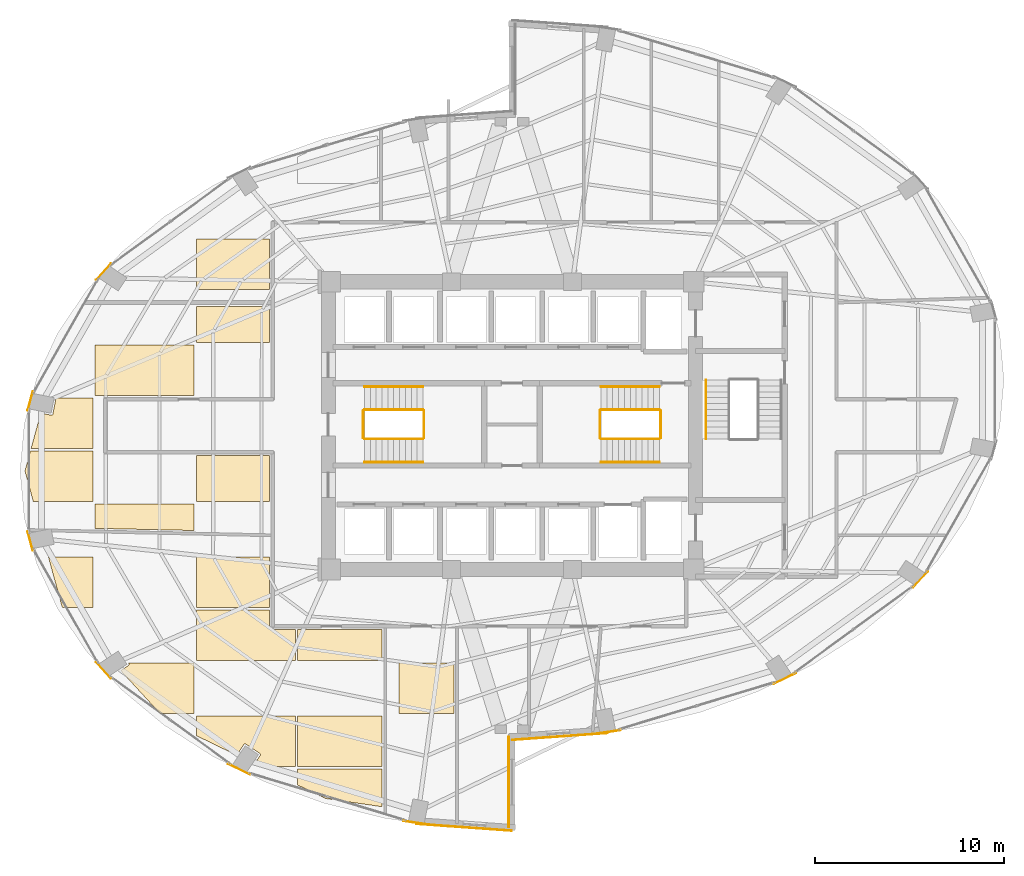
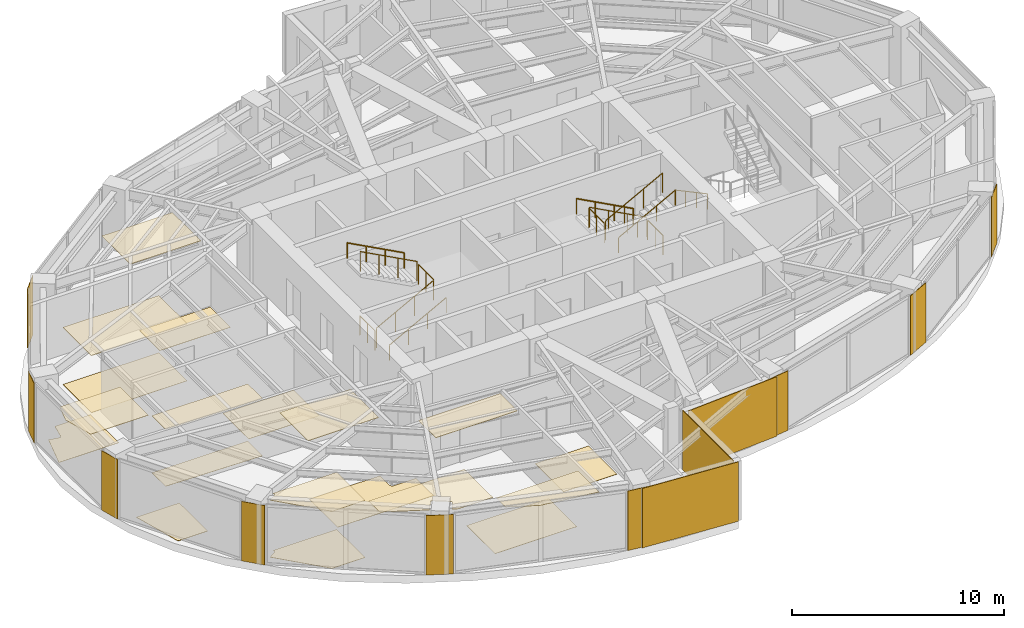
# One storey, part 22 of 23: 31 coverings, 13 railings.
"""IFC4 building model written with IfcOpenShell, lengths in metres."""

from ifc_helpers import new_model, si_unit, direction, frame, origin, origin_2d, place, context, subcontext, project, spatial, polyline, rectangle, circle, outline, extrude, material, layer, layer_set, type_object, element, save


model = new_model("IFC4")

# Units and contexts
model_context = context("Model", 3, precision=1e-05, world=origin(), true_north=direction((0.0, 1.0)))
body_context = subcontext(model_context, "Body", "Model", "MODEL_VIEW")
ifc_project = project(units=[si_unit("LENGTHUNIT", "METRE"), si_unit("AREAUNIT", "SQUARE_METRE"), si_unit("VOLUMEUNIT", "CUBIC_METRE"), si_unit("PLANEANGLEUNIT", "RADIAN"), si_unit("MASSUNIT", "GRAM", prefix="KILO")], contexts=[model_context])

# Site, building, storey
site_placement = place(None, origin())
site = spatial("IfcSite", under=ifc_project, at=site_placement, CompositionType="ELEMENT")
building_placement = place(site_placement, origin())
building = spatial("IfcBuilding", under=site, at=building_placement, Name="Lazwardi Medical Tower", CompositionType="ELEMENT")
storey_placement = place(building_placement, frame((0.0, 0.0, 81.743896484375)))
storey = spatial("IfcBuildingStorey", under=building, at=storey_placement, Name="L20", CompositionType="ELEMENT", Elevation=81.743896484375)

# Coverings
ifc_material_1 = material(Name="Anodised bronze aluminium cassette cladding", Category="aluminium")
ifc_layer_1 = layer(ifc_material_1, 0.030029296875)
ifc_layer_set_1 = layer_set([ifc_layer_1], Name="Anodised bronze aluminium cassette cladding")
covering_type_1 = type_object("IfcCoveringType", Name="COV-CLD-BRZ", PredefinedType="CLADDING", material=ifc_layer_set_1)
covering_1_placement = place(storey_placement, frame((41.064208984375, 11.80322265625, 0.0), z_axis=(0.0, 0.0, 1.0), x_axis=(0.989609019093, 0.143784523955, 0.0)))
element("IfcCovering", 1, at=covering_1_placement, inside=storey, type_object=covering_type_1, Name="L20 Mega-column bronze cassette cover M01", PredefinedType="CLADDING", context=body_context, shape_type="SweptSolid", body=[
    extrude(rectangle(XDim=1.392333984375, YDim=0.030029296875, at=origin_2d()), origin(), (0.0, 0.0, 1.0), 3.427978515625),
])
covering_2_placement = place(storey_placement, frame((50.421875, 14.634521484375, 0.0), z_axis=(0.0, 0.0, 1.0), x_axis=(0.898679250201, 0.438606435495, 0.0)))
element("IfcCovering", 2, at=covering_2_placement, inside=storey, type_object=covering_type_1, Name="L20 Mega-column bronze cassette cover M02", PredefinedType="CLADDING", context=body_context, shape_type="SweptSolid", body=[
    extrude(rectangle(XDim=1.2998046875, YDim=0.030029296875, at=origin_2d()), origin(), (0.0, 0.0, 1.0), 3.427978515625),
])
for number, where, z_axis, x_axis, name in (
    (3, (57.583740234375, 19.86572265625, 0.0), (0.0, 0.0, 1.0), (0.674925949214, 0.737885467453, 0.0), "L20 Mega-column bronze cassette cover M03"),
    (4, (14.416259765625, 36.13427734375, 0.0), (0.0, 0.0, 1.0), (-0.674925949214, -0.737885467453, 0.0), "L20 Mega-column bronze cassette cover M11"),
):
    element("IfcCovering", number, at=place(storey_placement, frame(where, z_axis=z_axis, x_axis=x_axis)), inside=storey, type_object=covering_type_1, Name=name, PredefinedType="CLADDING", context=body_context, shape_type="SweptSolid", body=[
        extrude(rectangle(XDim=1.15625, YDim=0.030029296875, at=origin_2d()), origin(), (0.0, 0.0, 1.0), 3.427978515625),
    ])
for number, where, z_axis, x_axis, name in (
    (5, (10.540283203125, 29.299072265625, 0.0), (0.0, 0.0, 1.0), (-0.262696108164, -0.964878621774, 0.0), "L20 Mega-column bronze cassette cover M12"),
    (6, (10.540283203125, 21.90087890625, 0.0), (0.0, 0.0, 1.0), (0.262696108164, -0.964878621774, 0.0), "L20 Mega-column bronze cassette cover M13"),
):
    element("IfcCovering", number, at=place(storey_placement, frame(where, z_axis=z_axis, x_axis=x_axis)), inside=storey, type_object=covering_type_1, Name=name, PredefinedType="CLADDING", context=body_context, shape_type="SweptSolid", body=[
        extrude(rectangle(XDim=1.04296875, YDim=0.030029296875, at=origin_2d()), origin(), (0.0, 0.0, 1.0), 3.427978515625),
    ])
covering_3_placement = place(storey_placement, frame((14.416259765625, 15.06591796875, 0.0), z_axis=(0.0, 0.0, 1.0), x_axis=(0.674925949214, -0.737885467453, 0.0)))
element("IfcCovering", 7, at=covering_3_placement, inside=storey, type_object=covering_type_1, Name="L20 Mega-column bronze cassette cover M14", PredefinedType="CLADDING", context=body_context, shape_type="SweptSolid", body=[
    extrude(rectangle(XDim=1.15625, YDim=0.030029296875, at=origin_2d()), origin(), (0.0, 0.0, 1.0), 3.427978515625),
])
covering_4_placement = place(storey_placement, frame((21.578125, 9.83447265625, 0.0), z_axis=(0.0, 0.0, 1.0), x_axis=(0.898679250201, -0.438606435495, 0.0)))
element("IfcCovering", 8, at=covering_4_placement, inside=storey, type_object=covering_type_1, Name="L20 Mega-column bronze cassette cover M15", PredefinedType="CLADDING", context=body_context, shape_type="SweptSolid", body=[
    extrude(rectangle(XDim=1.2998046875, YDim=0.030029296875, at=origin_2d()), origin(), (0.0, 0.0, 1.0), 3.427978515625),
])
covering_5_placement = place(storey_placement, frame((30.935791015625, 7.00341796875, 0.0), z_axis=(0.0, 0.0, 1.0), x_axis=(0.989609019093, -0.143784523955, 0.0)))
element("IfcCovering", 9, at=covering_5_placement, inside=storey, type_object=covering_type_1, Name="L20 Mega-column bronze cassette cover M16", PredefinedType="CLADDING", context=body_context, shape_type="SweptSolid", body=[
    extrude(rectangle(XDim=1.392333984375, YDim=0.030029296875, at=origin_2d()), origin(), (0.0, 0.0, 1.0), 3.427978515625),
])
ifc_material_2 = material(Name="Turquoise glazed ceramic tilework cladding", Category="masonry")
ifc_layer_2 = layer(ifc_material_2, 0.034912109375)
ifc_layer_set_2 = layer_set([ifc_layer_2], Name="Turquoise glazed ceramic tilework cladding")
covering_type_2 = type_object("IfcCoveringType", Name="COV-CLD-TRQ", PredefinedType="CLADDING", material=ifc_layer_set_2)
covering_6_placement = place(storey_placement, frame((38.533203125, 11.56591796875, 0.0), z_axis=(0.0, 0.0, 1.0), x_axis=(0.997431665415, 0.07162452672, 0.0)))
element("IfcCovering", 10, at=covering_6_placement, inside=storey, type_object=covering_type_2, Name="L20 Turquoise glazed ceramic tilework cladding", PredefinedType="CLADDING", context=body_context, shape_type="SweptSolid", body=[
    extrude(rectangle(XDim=5.05419921875, YDim=0.034912109375, at=origin_2d()), origin(), (0.0, 0.0, 1.0), 3.427978515625),
])
covering_7_placement = place(storey_placement, frame((33.466552734375, 6.76611328125, 0.0), z_axis=(0.0, 0.0, 1.0), x_axis=(0.997431165357, -0.071631490105, 0.0)))
element("IfcCovering", 11, at=covering_7_placement, inside=storey, type_object=covering_type_2, Name="L20 Turquoise glazed ceramic tilework cladding", PredefinedType="CLADDING", context=body_context, shape_type="SweptSolid", body=[
    extrude(rectangle(XDim=5.0537109375, YDim=0.034912109375, at=origin_2d()), origin(), (0.0, 0.0, 1.0), 3.427978515625),
])
covering_8_placement = place(storey_placement, frame((35.824462890625, 9.159912109375, 0.0), z_axis=(0.0, 0.0, 1.0), x_axis=(0.0, 1.0, 0.0)))
element("IfcCovering", 12, at=covering_8_placement, inside=storey, type_object=covering_type_2, Name="L20 Turquoise glazed ceramic tilework iwan panel", PredefinedType="CLADDING", context=body_context, shape_type="SweptSolid", body=[
    extrude(rectangle(XDim=4.800048828125, YDim=0.034912109375, at=origin_2d()), origin(), (0.0, 0.0, 1.0), 3.427978515625),
])
ifc_material_3 = material(Name="Acoustic mineral fibre tile")
ifc_layer_3 = layer(ifc_material_3, 0.02490234375)
ifc_layer_set_3 = layer_set([ifc_layer_3], Name="Acoustic mineral fibre tile")
covering_type_3 = type_object("IfcCoveringType", Name="COV-CLG-01", PredefinedType="CEILING", material=ifc_layer_set_3)
covering_9_placement = place(storey_placement, frame((0.0, 0.0, 3.283203125)))
element("IfcCovering", 13, at=covering_9_placement, inside=storey, type_object=covering_type_3, Name="L20 Clinical Acoustic Ceiling 1", PredefinedType="CEILING", context=body_context, shape_type="SweptSolid", body=[
    extrude(outline(polyline([(10.552978515625, 26.662353515625), (10.262939453125, 25.60009765625), (10.704345703125, 23.982421875), (13.852783203125, 23.982421875), (13.852783203125, 26.662353515625), (10.552978515625, 26.662353515625)])), origin(), (0.0, 0.0, 1.0), 0.02490234375),
])
covering_10_placement = place(storey_placement, frame((0.0, 0.0, 3.283203125)))
element("IfcCovering", 14, at=covering_10_placement, inside=storey, type_object=covering_type_3, Name="L20 Clinical Acoustic Ceiling 2", PredefinedType="CEILING", context=body_context, shape_type="SweptSolid", body=[
    extrude(outline(polyline([(15.725830078125, 15.46240234375), (15.748779296875, 15.42822265625), (15.752685546875, 15.421630859375), (15.756103515625, 15.41455078125), (15.7587890625, 15.406982421875), (15.7607421875, 15.3994140625), (15.76171875, 15.3916015625), (15.76220703125, 15.3837890625), (15.76171875, 15.376220703125), (15.7607421875, 15.368408203125), (15.7587890625, 15.360595703125), (15.756103515625, 15.353271484375), (15.752685546875, 15.34619140625), (15.748779296875, 15.339599609375), (15.743896484375, 15.3330078125), (15.73876953125, 15.327392578125), (15.73291015625, 15.322021484375), (15.7265625, 15.3173828125), (15.32421875, 15.048583984375), (17.401611328125, 12.782470703125), (19.202880859375, 12.782470703125), (19.202880859375, 15.46240234375), (15.725830078125, 15.46240234375)])), origin(), (0.0, 0.0, 1.0), 0.02490234375),
])
covering_11_placement = place(storey_placement, frame((0.0, 0.0, 3.283203125)))
element("IfcCovering", 15, at=covering_11_placement, inside=storey, type_object=covering_type_3, Name="L20 Clinical Acoustic Ceiling 3", PredefinedType="CEILING", context=body_context, shape_type="SweptSolid", body=[
    extrude(outline(polyline([(13.972900390625, 22.56787109375), (19.202880859375, 22.45458984375), (19.202880859375, 23.8623046875), (13.972900390625, 23.8623046875), (13.972900390625, 22.56787109375)])), origin(), (0.0, 0.0, 1.0), 0.02490234375),
])
covering_12_placement = place(storey_placement, frame((0.0, 0.0, 3.283203125)))
element("IfcCovering", 16, at=covering_12_placement, inside=storey, type_object=covering_type_3, Name="L20 Clinical Acoustic Ceiling 4", PredefinedType="CEILING", context=body_context, shape_type="SweptSolid", body=[
    extrude(outline(polyline([(19.202880859375, 29.58251953125), (19.202880859375, 32.262451171875), (13.972900390625, 32.262451171875), (13.972900390625, 29.58251953125), (19.202880859375, 29.58251953125)])), origin(), (0.0, 0.0, 1.0), 0.02490234375),
])
covering_13_placement = place(storey_placement, frame((0.0, 0.0, 3.283203125)))
element("IfcCovering", 17, at=covering_13_placement, inside=storey, type_object=covering_type_3, Name="L20 Clinical Acoustic Ceiling 5", PredefinedType="CEILING", context=body_context, shape_type="SweptSolid", body=[
    extrude(outline(polyline([(19.322998046875, 11.611572265625), (21.447509765625, 10.576904296875), (21.828369140625, 11.14697265625), (21.8330078125, 11.1533203125), (21.83837890625, 11.1591796875), (21.843994140625, 11.164306640625), (21.8505859375, 11.1689453125), (21.857177734375, 11.173095703125), (21.8642578125, 11.176513671875), (21.87158203125, 11.17919921875), (21.87939453125, 11.180908203125), (21.88720703125, 11.18212890625), (21.89501953125, 11.1826171875), (21.902587890625, 11.18212890625), (21.910400390625, 11.180908203125), (21.918212890625, 11.17919921875), (21.925537109375, 11.176513671875), (21.9326171875, 11.173095703125), (21.939208984375, 11.1689453125), (22.6708984375, 10.68017578125), (22.677490234375, 10.67529296875), (22.68310546875, 10.670166015625), (22.6884765625, 10.664306640625), (22.693115234375, 10.657958984375), (22.697265625, 10.6513671875), (22.700439453125, 10.644287109375), (22.703125, 10.63671875), (22.705078125, 10.629150390625), (22.706298828125, 10.621337890625), (22.70654296875, 10.613525390625), (22.706298828125, 10.605712890625), (22.705078125, 10.597900390625), (22.703125, 10.59033203125), (22.700439453125, 10.5830078125), (22.697265625, 10.575927734375), (22.693115234375, 10.569091796875), (22.39111328125, 10.1171875), (22.667724609375, 9.982421875), (24.552978515625, 9.982421875), (24.552978515625, 12.662353515625), (19.322998046875, 12.662353515625), (19.322998046875, 11.611572265625)])), origin(), (0.0, 0.0, 1.0), 0.02490234375),
])
covering_14_placement = place(storey_placement, frame((0.0, 0.0, 3.283203125)))
element("IfcCovering", 18, at=covering_14_placement, inside=storey, type_object=covering_type_3, Name="L20 Clinical Acoustic Ceiling 6", PredefinedType="CEILING", context=body_context, shape_type="SweptSolid", body=[
    extrude(outline(polyline([(23.175048828125, 18.38232421875), (23.175048828125, 21.0625), (19.322998046875, 21.0625), (19.322998046875, 18.38232421875), (23.175048828125, 18.38232421875)])), origin(), (0.0, 0.0, 1.0), 0.02490234375),
])
covering_15_placement = place(storey_placement, frame((0.0, 0.0, 3.283203125)))
element("IfcCovering", 19, at=covering_15_placement, inside=storey, type_object=covering_type_3, Name="L20 Clinical Acoustic Ceiling 7", PredefinedType="CEILING", context=body_context, shape_type="SweptSolid", body=[
    extrude(outline(polyline([(23.175048828125, 35.182373046875), (23.175048828125, 37.8623046875), (19.322998046875, 37.8623046875), (19.322998046875, 35.182373046875), (23.175048828125, 35.182373046875)])), origin(), (0.0, 0.0, 1.0), 0.02490234375),
])
covering_16_placement = place(storey_placement, frame((0.0, 0.0, 3.283203125)))
element("IfcCovering", 20, at=covering_16_placement, inside=storey, type_object=covering_type_3, Name="L20 Clinical Acoustic Ceiling 8", PredefinedType="CEILING", context=body_context, shape_type="SweptSolid", body=[
    extrude(outline(polyline([(24.6728515625, 9.005859375), (26.142822265625, 8.2900390625), (29.135009765625, 7.856201171875), (29.135009765625, 9.8623046875), (24.6728515625, 9.8623046875), (24.6728515625, 9.005859375)])), origin(), (0.0, 0.0, 1.0), 0.02490234375),
])
covering_17_placement = place(storey_placement, frame((0.0, 0.0, 3.283203125)))
element("IfcCovering", 21, at=covering_17_placement, inside=storey, type_object=covering_type_3, Name="L20 Clinical Acoustic Ceiling 9", PredefinedType="CEILING", context=body_context, shape_type="SweptSolid", body=[
    extrude(outline(polyline([(29.135009765625, 15.58251953125), (29.135009765625, 17.22509765625), (24.6728515625, 17.22509765625), (24.6728515625, 15.58251953125), (29.135009765625, 15.58251953125)])), origin(), (0.0, 0.0, 1.0), 0.02490234375),
])
ifc_material_4 = material(Name="Anti-static hospital vinyl sheet flooring")
ifc_layer_4 = layer(ifc_material_4, 0.014892578125)
ifc_layer_set_4 = layer_set([ifc_layer_4], Name="Anti-static hospital vinyl sheet flooring")
covering_type_4 = type_object("IfcCoveringType", Name="COV-FLR-01", PredefinedType="FLOORING", material=ifc_layer_set_4)
covering_18_placement = place(storey_placement, origin())
element("IfcCovering", 22, at=covering_18_placement, inside=storey, type_object=covering_type_4, Name="L20 Clinical Vinyl Flooring 1", PredefinedType="FLOORING", context=body_context, shape_type="SweptSolid", body=[
    extrude(outline(polyline([(11.501220703125, 21.0625), (12.217529296875, 18.437744140625), (12.26806640625, 18.38232421875), (13.852783203125, 18.38232421875), (13.852783203125, 21.0625), (11.501220703125, 21.0625)])), origin(), (0.0, 0.0, 1.0), 0.01513671875),
])
covering_19_placement = place(storey_placement, origin())
element("IfcCovering", 23, at=covering_19_placement, inside=storey, type_object=covering_type_4, Name="L20 Clinical Vinyl Flooring 2", PredefinedType="FLOORING", context=body_context, shape_type="SweptSolid", body=[
    extrude(outline(polyline([(11.906982421875, 29.46240234375), (11.73779296875, 28.61181640625), (11.73583984375, 28.604248046875), (11.733154296875, 28.5966796875), (11.72998046875, 28.589599609375), (11.725830078125, 28.5830078125), (11.72119140625, 28.57666015625), (11.7158203125, 28.57080078125), (11.710205078125, 28.565673828125), (11.70361328125, 28.560791015625), (11.697021484375, 28.556884765625), (11.68994140625, 28.553466796875), (11.6826171875, 28.55078125), (11.6748046875, 28.548828125), (11.6669921875, 28.5478515625), (11.6591796875, 28.54736328125), (11.651611328125, 28.5478515625), (11.643798828125, 28.548828125), (11.097412109375, 28.65771484375), (10.585693359375, 26.782470703125), (13.852783203125, 26.782470703125), (13.852783203125, 29.46240234375), (11.906982421875, 29.46240234375)])), origin(), (0.0, 0.0, 1.0), 0.01513671875),
])
covering_20_placement = place(storey_placement, origin())
element("IfcCovering", 24, at=covering_20_placement, inside=storey, type_object=covering_type_4, Name="L20 Clinical Vinyl Flooring 3", PredefinedType="FLOORING", context=body_context, shape_type="SweptSolid", body=[
    extrude(outline(polyline([(15.725830078125, 15.46240234375), (15.748779296875, 15.42822265625), (15.752685546875, 15.421630859375), (15.756103515625, 15.41455078125), (15.7587890625, 15.406982421875), (15.7607421875, 15.3994140625), (15.76171875, 15.3916015625), (15.76220703125, 15.3837890625), (15.76171875, 15.376220703125), (15.7607421875, 15.368408203125), (15.7587890625, 15.360595703125), (15.756103515625, 15.353271484375), (15.752685546875, 15.34619140625), (15.748779296875, 15.339599609375), (15.743896484375, 15.3330078125), (15.73876953125, 15.327392578125), (15.73291015625, 15.322021484375), (15.7265625, 15.3173828125), (15.32421875, 15.048583984375), (17.401611328125, 12.782470703125), (19.202880859375, 12.782470703125), (19.202880859375, 15.46240234375), (15.725830078125, 15.46240234375)])), origin(), (0.0, 0.0, 1.0), 0.01513671875),
])
covering_21_placement = place(storey_placement, origin())
element("IfcCovering", 25, at=covering_21_placement, inside=storey, type_object=covering_type_4, Name="L20 Clinical Vinyl Flooring 4", PredefinedType="FLOORING", context=body_context, shape_type="SweptSolid", body=[
    extrude(outline(polyline([(13.972900390625, 22.56787109375), (19.202880859375, 22.45458984375), (19.202880859375, 23.8623046875), (13.972900390625, 23.8623046875), (13.972900390625, 22.56787109375)])), origin(), (0.0, 0.0, 1.0), 0.01513671875),
])
covering_22_placement = place(storey_placement, origin())
element("IfcCovering", 26, at=covering_22_placement, inside=storey, type_object=covering_type_4, Name="L20 Clinical Vinyl Flooring 5", PredefinedType="FLOORING", context=body_context, shape_type="SweptSolid", body=[
    extrude(outline(polyline([(19.202880859375, 29.58251953125), (19.202880859375, 32.262451171875), (13.972900390625, 32.262451171875), (13.972900390625, 29.58251953125), (19.202880859375, 29.58251953125)])), origin(), (0.0, 0.0, 1.0), 0.01513671875),
])
covering_23_placement = place(storey_placement, origin())
element("IfcCovering", 27, at=covering_23_placement, inside=storey, type_object=covering_type_4, Name="L20 Clinical Vinyl Flooring 6", PredefinedType="FLOORING", context=body_context, shape_type="SweptSolid", body=[
    extrude(outline(polyline([(24.552978515625, 17.22509765625), (23.35009765625, 17.22509765625), (23.345703125, 17.22509765625), (23.33642578125, 17.2255859375), (23.32958984375, 17.226318359375), (23.3203125, 17.2275390625), (23.31201171875, 17.229248046875), (23.302734375, 17.2314453125), (23.2958984375, 17.233642578125), (23.287109375, 17.23681640625), (23.279296875, 17.239990234375), (23.270751953125, 17.243896484375), (23.263916015625, 17.24755859375), (23.256103515625, 17.25244140625), (23.249267578125, 17.2568359375), (23.24169921875, 17.262451171875), (23.236083984375, 17.26708984375), (23.229248046875, 17.273193359375), (23.223388671875, 17.279296875), (23.217041015625, 17.2861328125), (23.21240234375, 17.291748046875), (23.206787109375, 17.29931640625), (23.202392578125, 17.305908203125), (23.197509765625, 17.31396484375), (23.194091796875, 17.32080078125), (23.18994140625, 17.3291015625), (23.186767578125, 17.3369140625), (23.18359375, 17.345703125), (23.181396484375, 17.352783203125), (23.17919921875, 17.36181640625), (23.177490234375, 17.370361328125), (23.17626953125, 17.37939453125), (23.175537109375, 17.386474609375), (23.175048828125, 17.395751953125), (23.175048828125, 17.39990234375), (23.175048828125, 18.262451171875), (19.322998046875, 18.262451171875), (19.322998046875, 15.58251953125), (24.552978515625, 15.58251953125), (24.552978515625, 17.22509765625)])), origin(), (0.0, 0.0, 1.0), 0.01513671875),
])
covering_24_placement = place(storey_placement, origin())
element("IfcCovering", 28, at=covering_24_placement, inside=storey, type_object=covering_type_4, Name="L20 Clinical Vinyl Flooring 7", PredefinedType="FLOORING", context=body_context, shape_type="SweptSolid", body=[
    extrude(outline(polyline([(23.175048828125, 23.982421875), (23.175048828125, 26.425048828125), (19.322998046875, 26.425048828125), (19.322998046875, 23.982421875), (23.175048828125, 23.982421875)])), origin(), (0.0, 0.0, 1.0), 0.01513671875),
])
covering_25_placement = place(storey_placement, origin())
element("IfcCovering", 29, at=covering_25_placement, inside=storey, type_object=covering_type_4, Name="L20 Clinical Vinyl Flooring 8", PredefinedType="FLOORING", context=body_context, shape_type="SweptSolid", body=[
    extrude(outline(polyline([(23.175048828125, 32.38232421875), (23.175048828125, 34.300048828125), (19.322998046875, 34.300048828125), (19.322998046875, 32.38232421875), (23.175048828125, 32.38232421875)])), origin(), (0.0, 0.0, 1.0), 0.01513671875),
])
covering_26_placement = place(storey_placement, origin())
element("IfcCovering", 30, at=covering_26_placement, inside=storey, type_object=covering_type_4, Name="L20 Clinical Vinyl Flooring 9", PredefinedType="FLOORING", context=body_context, shape_type="SweptSolid", body=[
    extrude(outline(polyline([(29.135009765625, 9.982421875), (29.135009765625, 12.662353515625), (24.6728515625, 12.662353515625), (24.6728515625, 9.982421875), (29.135009765625, 9.982421875)])), origin(), (0.0, 0.0, 1.0), 0.01513671875),
])
covering_27_placement = place(storey_placement, origin())
element("IfcCovering", 31, at=covering_27_placement, inside=storey, type_object=covering_type_4, Name="L20 Clinical Vinyl Flooring 10", PredefinedType="FLOORING", context=body_context, shape_type="SweptSolid", body=[
    extrude(outline(polyline([(32.93505859375, 12.782470703125), (32.93505859375, 15.46240234375), (30.02294921875, 15.46240234375), (30.02294921875, 12.782470703125), (32.93505859375, 12.782470703125)])), origin(), (0.0, 0.0, 1.0), 0.01513671875),
])

# Railings
ifc_material_5 = material(Name="Stainless steel Grade 316", Category="steel")
railing_type_1 = type_object("IfcRailingType", Name="RLG-GRD-1150", PredefinedType="GUARDRAIL", material=ifc_material_5)
railing_1_placement = place(storey_placement, frame((28.199951171875, 27.2900390625, 0.166015625)))
element("IfcRailing", 32, at=railing_1_placement, inside=storey, type_object=railing_type_1, Name="L20 ST1 stair guard 1", PredefinedType="GUARDRAIL", context=body_context, shape_type="SweptSolid", body=[
    extrude(circle(Radius=0.02392578125, at=origin_2d()), frame((0.0, 0.0, 1.1259765625), z_axis=(0.881783298633, 0.0, 0.471654761719), x_axis=(0.0, 1.0, 0.0)), (0.0, 0.0, 1.0), 3.515625),
    extrude(circle(Radius=0.02099609375, at=origin_2d()), origin(), (0.0, 0.0, 1.0), 1.099853515625),
    extrude(circle(Radius=0.02099609375, at=origin_2d()), frame((1.033447265625, 0.0, 0.552734375)), (0.0, 0.0, 1.0), 1.099853515625),
    extrude(circle(Radius=0.02099609375, at=origin_2d()), frame((2.066650390625, 0.0, 1.10546875)), (0.0, 0.0, 1.0), 1.099853515625),
    extrude(circle(Radius=0.02099609375, at=origin_2d()), frame((3.10009765625, 0.0, 1.658203125)), (0.0, 0.0, 1.0), 1.099853515625),
])
railing_2_placement = place(storey_placement, frame((31.35009765625, 27.340087890625, 1.82421875)))
element("IfcRailing", 33, at=railing_2_placement, inside=storey, type_object=railing_type_1, Name="L20 ST1 stair guard 2", PredefinedType="GUARDRAIL", context=body_context, shape_type="SweptSolid", body=[
    extrude(circle(Radius=0.02392578125, at=origin_2d()), frame((0.0, 0.0, 1.1259765625), z_axis=(0.0, 1.0, 0.0), x_axis=(-1.0, 0.0, 0.0)), (0.0, 0.0, 1.0), 1.43994140625),
    extrude(circle(Radius=0.02099609375, at=origin_2d()), origin(), (0.0, 0.0, 1.0), 1.099853515625),
    extrude(circle(Radius=0.02099609375, at=origin_2d()), frame((0.0, 0.719970703125, 0.0)), (0.0, 0.0, 1.0), 1.099853515625),
    extrude(circle(Radius=0.02099609375, at=origin_2d()), frame((0.0, 1.43994140625, 0.0)), (0.0, 0.0, 1.0), 1.099853515625),
])
railing_3_placement = place(storey_placement, frame((31.300048828125, 28.830078125, 1.989990234375)))
element("IfcRailing", 34, at=railing_3_placement, inside=storey, type_object=railing_type_1, Name="L20 ST1 stair guard 3", PredefinedType="GUARDRAIL", context=body_context, shape_type="SweptSolid", body=[
    extrude(circle(Radius=0.02392578125, at=origin_2d()), frame((0.0, 0.0, 1.1259765625), z_axis=(-0.881783298633, 0.0, 0.471654761719), x_axis=(0.0, -1.0, 0.0)), (0.0, 0.0, 1.0), 3.515625),
    extrude(circle(Radius=0.02099609375, at=origin_2d()), origin(), (0.0, 0.0, 1.0), 1.099853515625),
    extrude(circle(Radius=0.02099609375, at=origin_2d()), frame((-1.033447265625, 0.0, 0.552734375)), (0.0, 0.0, 1.0), 1.099853515625),
    extrude(circle(Radius=0.02099609375, at=origin_2d()), frame((-2.066650390625, 0.0, 1.10546875)), (0.0, 0.0, 1.0), 1.099853515625),
    extrude(circle(Radius=0.02099609375, at=origin_2d()), frame((-3.10009765625, 0.0, 1.658203125)), (0.0, 0.0, 1.0), 1.099853515625),
])
railing_4_placement = place(storey_placement, frame((28.14990234375, 27.340087890625, 0.0)))
element("IfcRailing", 35, at=railing_4_placement, inside=storey, type_object=railing_type_1, Name="L20 ST1 stair guard 4", PredefinedType="GUARDRAIL", context=body_context, shape_type="SweptSolid", body=[
    extrude(circle(Radius=0.02392578125, at=origin_2d()), frame((0.0, 0.0, 1.1259765625), z_axis=(0.0, 1.0, 0.0), x_axis=(-1.0, 0.0, 0.0)), (0.0, 0.0, 1.0), 1.43994140625),
    extrude(circle(Radius=0.02099609375, at=origin_2d()), origin(), (0.0, 0.0, 1.0), 1.099853515625),
    extrude(circle(Radius=0.02099609375, at=origin_2d()), frame((0.0, 0.719970703125, 0.0)), (0.0, 0.0, 1.0), 1.099853515625),
    extrude(circle(Radius=0.02099609375, at=origin_2d()), frame((0.0, 1.43994140625, 0.0)), (0.0, 0.0, 1.0), 1.099853515625),
])
railing_5_placement = place(storey_placement, frame((43.800048828125, 28.830078125, 0.166015625)))
element("IfcRailing", 36, at=railing_5_placement, inside=storey, type_object=railing_type_1, Name="L20 ST2 stair guard 1", PredefinedType="GUARDRAIL", context=body_context, shape_type="SweptSolid", body=[
    extrude(circle(Radius=0.02392578125, at=origin_2d()), frame((0.0, 0.0, 1.1259765625), z_axis=(-0.881783298633, 0.0, 0.471654761719), x_axis=(0.0, -1.0, 0.0)), (0.0, 0.0, 1.0), 3.515625),
    extrude(circle(Radius=0.02099609375, at=origin_2d()), origin(), (0.0, 0.0, 1.0), 1.099853515625),
    extrude(circle(Radius=0.02099609375, at=origin_2d()), frame((-1.033447265625, 0.0, 0.552734375)), (0.0, 0.0, 1.0), 1.099853515625),
    extrude(circle(Radius=0.02099609375, at=origin_2d()), frame((-2.066650390625, 0.0, 1.10546875)), (0.0, 0.0, 1.0), 1.099853515625),
    extrude(circle(Radius=0.02099609375, at=origin_2d()), frame((-3.10009765625, 0.0, 1.658203125)), (0.0, 0.0, 1.0), 1.099853515625),
])
railing_6_placement = place(storey_placement, frame((40.64990234375, 28.780029296875, 1.82421875)))
element("IfcRailing", 37, at=railing_6_placement, inside=storey, type_object=railing_type_1, Name="L20 ST2 stair guard 2", PredefinedType="GUARDRAIL", context=body_context, shape_type="SweptSolid", body=[
    extrude(circle(Radius=0.02392578125, at=origin_2d()), frame((0.0, 0.0, 1.1259765625), z_axis=(0.0, -1.0, 0.0), x_axis=(1.0, 0.0, 0.0)), (0.0, 0.0, 1.0), 1.43994140625),
    extrude(circle(Radius=0.02099609375, at=origin_2d()), origin(), (0.0, 0.0, 1.0), 1.099853515625),
    extrude(circle(Radius=0.02099609375, at=origin_2d()), frame((0.0, -0.719970703125, 0.0)), (0.0, 0.0, 1.0), 1.099853515625),
    extrude(circle(Radius=0.02099609375, at=origin_2d()), frame((0.0, -1.43994140625, 0.0)), (0.0, 0.0, 1.0), 1.099853515625),
])
railing_7_placement = place(storey_placement, frame((40.699951171875, 27.2900390625, 1.989990234375)))
element("IfcRailing", 38, at=railing_7_placement, inside=storey, type_object=railing_type_1, Name="L20 ST2 stair guard 3", PredefinedType="GUARDRAIL", context=body_context, shape_type="SweptSolid", body=[
    extrude(circle(Radius=0.02392578125, at=origin_2d()), frame((0.0, 0.0, 1.1259765625), z_axis=(0.881783298633, 0.0, 0.471654761719), x_axis=(0.0, 1.0, 0.0)), (0.0, 0.0, 1.0), 3.515625),
    extrude(circle(Radius=0.02099609375, at=origin_2d()), origin(), (0.0, 0.0, 1.0), 1.099853515625),
    extrude(circle(Radius=0.02099609375, at=origin_2d()), frame((1.033447265625, 0.0, 0.552734375)), (0.0, 0.0, 1.0), 1.099853515625),
    extrude(circle(Radius=0.02099609375, at=origin_2d()), frame((2.066650390625, 0.0, 1.10546875)), (0.0, 0.0, 1.0), 1.099853515625),
    extrude(circle(Radius=0.02099609375, at=origin_2d()), frame((3.10009765625, 0.0, 1.658203125)), (0.0, 0.0, 1.0), 1.099853515625),
])
railing_8_placement = place(storey_placement, frame((43.85009765625, 28.780029296875, 0.0)))
element("IfcRailing", 39, at=railing_8_placement, inside=storey, type_object=railing_type_1, Name="L20 ST2 stair guard 4", PredefinedType="GUARDRAIL", context=body_context, shape_type="SweptSolid", body=[
    extrude(circle(Radius=0.02392578125, at=origin_2d()), frame((0.0, 0.0, 1.1259765625), z_axis=(0.0, -1.0, 0.0), x_axis=(1.0, 0.0, 0.0)), (0.0, 0.0, 1.0), 1.43994140625),
    extrude(circle(Radius=0.02099609375, at=origin_2d()), origin(), (0.0, 0.0, 1.0), 1.099853515625),
    extrude(circle(Radius=0.02099609375, at=origin_2d()), frame((0.0, -0.719970703125, 0.0)), (0.0, 0.0, 1.0), 1.099853515625),
    extrude(circle(Radius=0.02099609375, at=origin_2d()), frame((0.0, -1.43994140625, 0.0)), (0.0, 0.0, 1.0), 1.099853515625),
])
railing_type_2 = type_object("IfcRailingType", Name="RLG-HND-920", PredefinedType="HANDRAIL", material=ifc_material_5)
railing_9_placement = place(storey_placement, frame((28.199951171875, 26.070068359375, 0.166015625)))
element("IfcRailing", 40, at=railing_9_placement, inside=storey, type_object=railing_type_2, Name="L20 ST1 stair handrail 1", PredefinedType="HANDRAIL", context=body_context, shape_type="SweptSolid", body=[
    extrude(circle(Radius=0.02392578125, at=origin_2d()), frame((0.0, 0.0, 0.8857421875), z_axis=(0.881783298633, 0.0, 0.471654761719), x_axis=(0.0, 1.0, 0.0)), (0.0, 0.0, 1.0), 3.515625),
    extrude(circle(Radius=0.02099609375, at=origin_2d()), origin(), (0.0, 0.0, 1.0), 0.85986328125),
    extrude(circle(Radius=0.02099609375, at=origin_2d()), frame((1.033447265625, 0.0, 0.552734375)), (0.0, 0.0, 1.0), 0.85986328125),
    extrude(circle(Radius=0.02099609375, at=origin_2d()), frame((2.066650390625, 0.0, 1.10546875)), (0.0, 0.0, 1.0), 0.85986328125),
    extrude(circle(Radius=0.02099609375, at=origin_2d()), frame((3.10009765625, 0.0, 1.658203125)), (0.0, 0.0, 1.0), 0.85986328125),
])
for number, where, name in (
    (41, (31.300048828125, 30.050048828125, 1.989990234375), "L20 ST1 stair handrail 2"),
    (42, (43.800048828125, 30.050048828125, 0.166015625), "L20 ST2 stair handrail 1"),
):
    element("IfcRailing", number, at=place(storey_placement, frame(where)), inside=storey, type_object=railing_type_2, Name=name, PredefinedType="HANDRAIL", context=body_context, shape_type="SweptSolid", body=[
        extrude(circle(Radius=0.02392578125, at=origin_2d()), frame((0.0, 0.0, 0.8857421875), z_axis=(-0.881783298633, 0.0, 0.471654761719), x_axis=(0.0, -1.0, 0.0)), (0.0, 0.0, 1.0), 3.515625),
        extrude(circle(Radius=0.02099609375, at=origin_2d()), origin(), (0.0, 0.0, 1.0), 0.85986328125),
        extrude(circle(Radius=0.02099609375, at=origin_2d()), frame((-1.033447265625, 0.0, 0.552734375)), (0.0, 0.0, 1.0), 0.85986328125),
        extrude(circle(Radius=0.02099609375, at=origin_2d()), frame((-2.066650390625, 0.0, 1.10546875)), (0.0, 0.0, 1.0), 0.85986328125),
        extrude(circle(Radius=0.02099609375, at=origin_2d()), frame((-3.10009765625, 0.0, 1.658203125)), (0.0, 0.0, 1.0), 0.85986328125),
    ])
railing_10_placement = place(storey_placement, frame((40.699951171875, 26.070068359375, 1.989990234375)))
element("IfcRailing", 43, at=railing_10_placement, inside=storey, type_object=railing_type_2, Name="L20 ST2 stair handrail 2", PredefinedType="HANDRAIL", context=body_context, shape_type="SweptSolid", body=[
    extrude(circle(Radius=0.02392578125, at=origin_2d()), frame((0.0, 0.0, 0.8857421875), z_axis=(0.881783298633, 0.0, 0.471654761719), x_axis=(0.0, 1.0, 0.0)), (0.0, 0.0, 1.0), 3.515625),
    extrude(circle(Radius=0.02099609375, at=origin_2d()), origin(), (0.0, 0.0, 1.0), 0.85986328125),
    extrude(circle(Radius=0.02099609375, at=origin_2d()), frame((1.033447265625, 0.0, 0.552734375)), (0.0, 0.0, 1.0), 0.85986328125),
    extrude(circle(Radius=0.02099609375, at=origin_2d()), frame((2.066650390625, 0.0, 1.10546875)), (0.0, 0.0, 1.0), 0.85986328125),
    extrude(circle(Radius=0.02099609375, at=origin_2d()), frame((3.10009765625, 0.0, 1.658203125)), (0.0, 0.0, 1.0), 0.85986328125),
])
railing_11_placement = place(storey_placement, frame((46.25, 30.39990234375, 0.166015625)))
element("IfcRailing", 44, at=railing_11_placement, inside=storey, type_object=railing_type_2, Name="L20 ST3 stair handrail 1", PredefinedType="HANDRAIL", context=body_context, shape_type="SweptSolid", body=[
    extrude(circle(Radius=0.02392578125, at=origin_2d()), frame((0.0, 0.0, 0.8857421875), z_axis=(0.0, -0.881767849116, 0.471683644262), x_axis=(1.0, 0.0, 0.0)), (0.0, 0.0, 1.0), 3.515380859375),
    extrude(circle(Radius=0.02099609375, at=origin_2d()), origin(), (0.0, 0.0, 1.0), 0.85986328125),
    extrude(circle(Radius=0.02099609375, at=origin_2d()), frame((0.0, -1.033203125, 0.552734375)), (0.0, 0.0, 1.0), 0.85986328125),
    extrude(circle(Radius=0.02099609375, at=origin_2d()), frame((0.0, -2.066650390625, 1.10546875)), (0.0, 0.0, 1.0), 0.85986328125),
    extrude(circle(Radius=0.02099609375, at=origin_2d()), frame((0.0, -3.099853515625, 1.658203125)), (0.0, 0.0, 1.0), 0.85986328125),
])

save(model, "model.ifc")
